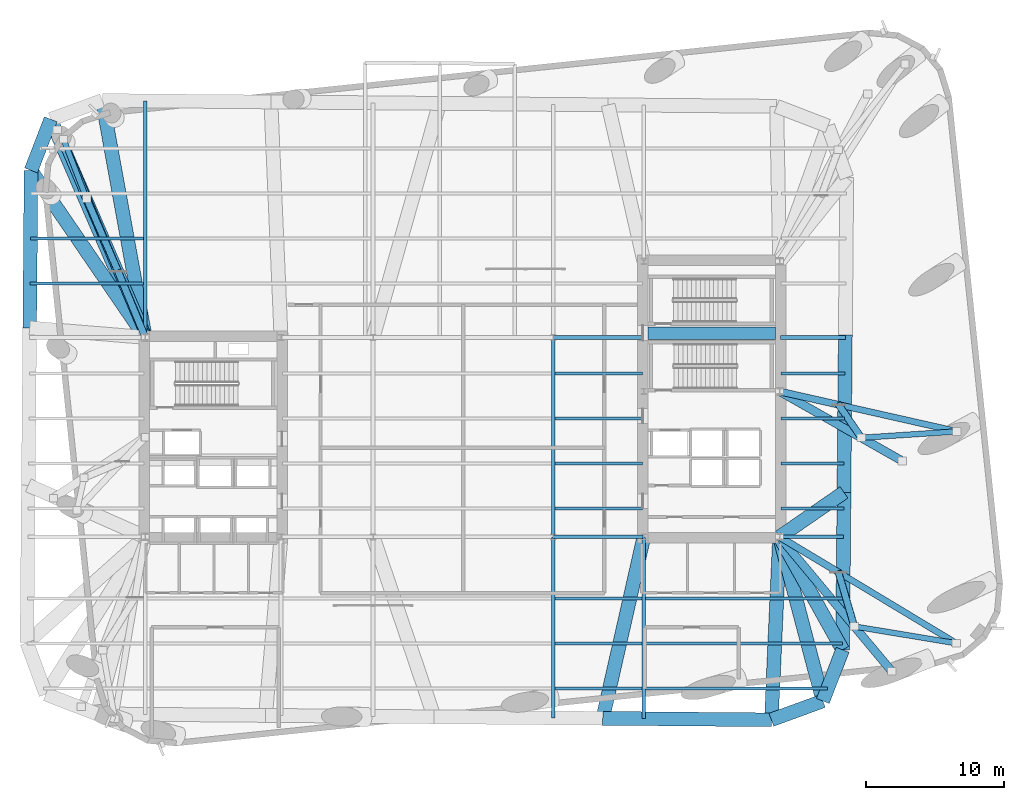
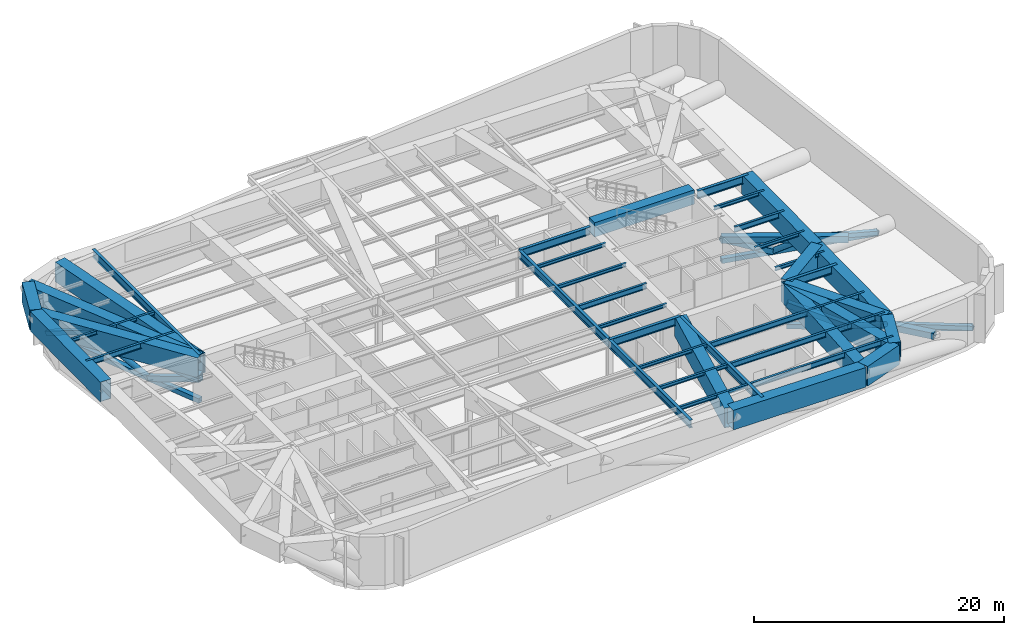
# One storey, part 3 of 15: 40 beams, 15 members.
"""IFC4 building model written with IfcOpenShell, lengths in metres."""

from ifc_helpers import new_model, si_unit, direction, frame, origin, origin_2d, place, context, subcontext, project, spatial, rectangle, hollow_rectangle, hollow_circle, i_section, extrude, material, material_profile, profile_set, type_object, element, save


model = new_model("IFC4")

# Units and contexts
model_context = context("Model", 3, precision=1e-05, world=origin(), true_north=direction((0.0, 1.0)))
body_context = subcontext(model_context, "Body", "Model", "MODEL_VIEW")
ifc_project = project(units=[si_unit("LENGTHUNIT", "METRE"), si_unit("AREAUNIT", "SQUARE_METRE"), si_unit("VOLUMEUNIT", "CUBIC_METRE"), si_unit("PLANEANGLEUNIT", "RADIAN"), si_unit("MASSUNIT", "GRAM", prefix="KILO")], contexts=[model_context])

# Site, building, storey
site_placement = place(None, origin())
site = spatial("IfcSite", under=ifc_project, at=site_placement, CompositionType="ELEMENT")
building_placement = place(site_placement, origin())
building = spatial("IfcBuilding", under=site, at=building_placement, Name="Kolvaren Arena Tower", CompositionType="ELEMENT")
storey_placement = place(building_placement, frame((0.0, 0.0, 153.25)))
storey = spatial("IfcBuildingStorey", under=building, at=storey_placement, Name="L36", CompositionType="ELEMENT", Elevation=153.25)

# Beams
ifc_material_1 = material(Name="Steel CSA G40.21 350W", Category="steel")
ifc_material_profile_1 = material_profile(ifc_material_1, i_section(OverallWidth=0.2119140625, OverallDepth=0.54296875, WebThickness=0.01318359375, FlangeThickness=0.0244140625, FilletRadius=0.013916015625, at=origin_2d()), Name="W530x150")
ifc_profile_set_1 = profile_set([ifc_material_profile_1], Name="Steel CSA G40.21 350W")
beam_type_1 = type_object("IfcBeamType", Name="BEAM-F1", PredefinedType="BEAM", material=ifc_profile_set_1)
beam_1_placement = place(storey_placement, frame((50.68505859375, 8.5, 4.478515625), z_axis=(1.0, 0.0, 0.0), x_axis=(0.0, 1.0, 0.0)))
element("IfcBeam", 1, at=beam_1_placement, inside=storey, type_object=beam_type_1, Name="Composite Floor Beam (L36)", PredefinedType="BEAM", context=body_context, shape_type="SweptSolid", body=[
    extrude(i_section(OverallWidth=0.2119140625, OverallDepth=0.54296875, WebThickness=0.01318359375, FlangeThickness=0.0244140625, FilletRadius=0.013916015625, at=origin_2d()), origin(), (0.0, 0.0, 1.0), 13.13916015625),
])
beam_2_placement = place(storey_placement, frame((50.68505859375, 11.75, 4.478515625), z_axis=(1.0, 0.0, 0.0), x_axis=(0.0, 1.0, 0.0)))
element("IfcBeam", 2, at=beam_2_placement, inside=storey, type_object=beam_type_1, Name="Composite Floor Beam (L36)", PredefinedType="BEAM", context=body_context, shape_type="SweptSolid", body=[
    extrude(i_section(OverallWidth=0.2119140625, OverallDepth=0.54296875, WebThickness=0.01318359375, FlangeThickness=0.0244140625, FilletRadius=0.013916015625, at=origin_2d()), origin(), (0.0, 0.0, 1.0), 14.218994140625),
])
beam_3_placement = place(storey_placement, frame((50.68505859375, 15.0, 4.478515625), z_axis=(1.0, 0.0, 0.0), x_axis=(0.0, 1.0, 0.0)))
element("IfcBeam", 3, at=beam_3_placement, inside=storey, type_object=beam_type_1, Name="Composite Floor Beam (L36)", PredefinedType="BEAM", context=body_context, shape_type="SweptSolid", body=[
    extrude(i_section(OverallWidth=0.2119140625, OverallDepth=0.54296875, WebThickness=0.01318359375, FlangeThickness=0.0244140625, FilletRadius=0.013916015625, at=origin_2d()), origin(), (0.0, 0.0, 1.0), 14.247314453125),
])
beam_4_placement = place(storey_placement, frame((44.135009765625, 24.75, 4.478515625), z_axis=(1.0, 0.0, 0.0), x_axis=(0.0, 1.0, 0.0)))
element("IfcBeam", 4, at=beam_4_placement, inside=storey, type_object=beam_type_1, Name="Composite Floor Beam (L36)", PredefinedType="BEAM", context=body_context, shape_type="SweptSolid", body=[
    extrude(i_section(OverallWidth=0.2119140625, OverallDepth=0.54296875, WebThickness=0.01318359375, FlangeThickness=0.0244140625, FilletRadius=0.013916015625, at=origin_2d()), origin(), (0.0, 0.0, 1.0), 6.320068359375),
])
beam_5_placement = place(storey_placement, frame((60.445068359375, 28.0, 4.478515625), z_axis=(1.0, 0.0, 0.0), x_axis=(0.0, 1.0, 0.0)))
element("IfcBeam", 5, at=beam_5_placement, inside=storey, type_object=beam_type_1, Name="Composite Floor Beam (L36)", PredefinedType="BEAM", context=body_context, shape_type="SweptSolid", body=[
    extrude(i_section(OverallWidth=0.2119140625, OverallDepth=0.54296875, WebThickness=0.01318359375, FlangeThickness=0.0244140625, FilletRadius=0.013916015625, at=origin_2d()), origin(), (0.0, 0.0, 1.0), 4.600830078125),
])
beam_6_placement = place(storey_placement, frame((6.228759765625, 37.75, 4.478515625), z_axis=(1.0, 0.0, 0.0), x_axis=(0.0, 1.0, 0.0)))
element("IfcBeam", 6, at=beam_6_placement, inside=storey, type_object=beam_type_1, Name="Composite Floor Beam (L36)", PredefinedType="BEAM", context=body_context, shape_type="SweptSolid", body=[
    extrude(i_section(OverallWidth=0.2119140625, OverallDepth=0.54296875, WebThickness=0.01318359375, FlangeThickness=0.0244140625, FilletRadius=0.013916015625, at=origin_2d()), origin(), (0.0, 0.0, 1.0), 8.186279296875),
])

# Members
ifc_material_2 = material(Name="Steel CSA G40.21 350WT", Category="steel")
ifc_material_profile_2 = material_profile(ifc_material_2, hollow_rectangle(XDim=0.449951171875, YDim=0.449951171875, WallThickness=0.02001953125, at=origin_2d()), Name="HSS 450x450x20")
ifc_profile_set_2 = profile_set([ifc_material_profile_2], Name="Steel CSA G40.21 350WT")
member_type_1 = type_object("IfcMemberType", Name="BELT-CHORD", PredefinedType="CHORD", material=ifc_profile_set_2)
member_1_placement = place(storey_placement, frame((14.550048828125, 33.85009765625, 0.35009765625), z_axis=(-0.3813058189, 0.924448956121, 0.0), x_axis=(-0.924448956121, -0.3813058189, 0.0)))
element("IfcMember", 7, at=member_1_placement, inside=storey, type_object=member_type_1, Name="Belt Truss Bottom Chord 2 (L36)", PredefinedType="CHORD", context=body_context, shape_type="SweptSolid", body=[
    extrude(hollow_rectangle(XDim=0.449951171875, YDim=0.449951171875, WallThickness=0.02001953125, at=origin_2d()), origin(), (0.0, 0.0, 1.0), 15.479248046875),
])
member_2_placement = place(storey_placement, frame((60.35009765625, 19.449951171875, 0.35009765625), z_axis=(0.856512082093, -0.516126973941, 0.0), x_axis=(0.516126973941, 0.856512082093, 0.0)))
element("IfcMember", 8, at=member_2_placement, inside=storey, type_object=member_type_1, Name="Belt Truss Bottom Chord 3 (L36)", PredefinedType="CHORD", context=body_context, shape_type="SweptSolid", body=[
    extrude(hollow_rectangle(XDim=0.449951171875, YDim=0.449951171875, WallThickness=0.02001953125, at=origin_2d()), origin(), (0.0, 0.0, 1.0), 14.892333984375),
])
member_3_placement = place(storey_placement, frame((60.35009765625, 29.949951171875, 0.35009765625), z_axis=(0.975446932902, -0.220234604663, 0.0), x_axis=(0.220234604663, 0.975446932902, 0.0)))
element("IfcMember", 9, at=member_3_placement, inside=storey, type_object=member_type_1, Name="Belt Truss Bottom Chord 6 (L36)", PredefinedType="CHORD", context=body_context, shape_type="SweptSolid", body=[
    extrude(hollow_rectangle(XDim=0.449951171875, YDim=0.449951171875, WallThickness=0.02001953125, at=origin_2d()), origin(), (0.0, 0.0, 1.0), 13.123046875),
])
ifc_material_profile_3 = material_profile(ifc_material_2, hollow_rectangle(XDim=0.39990234375, YDim=0.39990234375, WallThickness=0.01611328125, at=origin_2d()), Name="HSS 400x400x16")
ifc_profile_set_3 = profile_set([ifc_material_profile_3], Name="Steel CSA G40.21 350WT")
member_type_2 = type_object("IfcMemberType", Name="BELT-DIAG", PredefinedType="BRACE", material=ifc_profile_set_3)
member_4_placement = place(storey_placement, frame((10.31689453125, 43.855712890625, 2.47998046875), z_axis=(-0.328311479078, 0.846589348567, -0.418924871066), x_axis=(-0.93234566497, -0.361568196903, 0.0)))
element("IfcMember", 10, at=member_4_placement, inside=storey, type_object=member_type_2, Name="Belt Truss Warren Diagonal C 2 (L36)", PredefinedType="BRACE", context=body_context, shape_type="SweptSolid", body=[
    extrude(hollow_rectangle(XDim=0.39990234375, YDim=0.39990234375, WallThickness=0.01611328125, at=origin_2d()), origin(), (0.0, 0.0, 1.0), 5.084228515625),
])
member_5_placement = place(storey_placement, frame((65.74609375, 12.981201171875, 2.47998046875), z_axis=(0.948675761749, -0.15694818285, -0.274557037735), x_axis=(0.163220618114, 0.986589595436, 0.0)))
element("IfcMember", 11, at=member_5_placement, inside=storey, type_object=member_type_2, Name="Belt Truss Warren Diagonal C 3 (L36)", PredefinedType="BRACE", context=body_context, shape_type="SweptSolid", body=[
    extrude(hollow_rectangle(XDim=0.39990234375, YDim=0.39990234375, WallThickness=0.01611328125, at=origin_2d()), origin(), (0.0, 0.0, 1.0), 7.757568359375),
])
member_6_placement = place(storey_placement, frame((66.253173828125, 26.603271484375, 2.47998046875), z_axis=(0.953581040048, 0.063115299079, -0.294448058379), x_axis=(-0.066043158424, 0.99781676736, 0.0)))
element("IfcMember", 12, at=member_6_placement, inside=storey, type_object=member_type_2, Name="Belt Truss Warren Diagonal C 6 (L36)", PredefinedType="BRACE", context=body_context, shape_type="SweptSolid", body=[
    extrude(hollow_rectangle(XDim=0.39990234375, YDim=0.39990234375, WallThickness=0.01611328125, at=origin_2d()), origin(), (0.0, 0.0, 1.0), 7.2333984375),
])

# Beam
ifc_material_3 = material(Name="Concrete 75 MPa", Category="concrete")
ifc_material_profile_4 = material_profile(ifc_material_3, rectangle(XDim=0.89990234375, YDim=1.39990234375, at=origin_2d()), Name="RC-900x1400")
ifc_profile_set_4 = profile_set([ifc_material_profile_4], Name="Concrete 75 MPa")
beam_type_2 = type_object("IfcBeamType", Name="CB-CORE-1", PredefinedType="BEAM", material=ifc_profile_set_4)
beam_7_placement = place(storey_placement, frame((50.85009765625, 34.14990234375, 4.320068359375), z_axis=(1.0, 0.0, 0.0), x_axis=(0.0, 1.0, 0.0)))
element("IfcBeam", 13, at=beam_7_placement, inside=storey, type_object=beam_type_2, Name="East Core Coupling Beam (L36)", PredefinedType="BEAM", context=body_context, shape_type="SweptSolid", body=[
    extrude(rectangle(XDim=0.89990234375, YDim=1.39990234375, at=origin_2d()), origin(), (0.0, 0.0, 1.0), 9.199951171875),
])

# Members
ifc_material_profile_5 = material_profile(ifc_material_2, hollow_circle(Radius=0.25390625, WallThickness=0.02490234375, at=origin_2d()), Name="CHS 508x25")
ifc_profile_set_5 = profile_set([ifc_material_profile_5], Name="Steel CSA G40.21 350WT")
member_type_3 = type_object("IfcMemberType", Name="EXO-BRACE1", PredefinedType="BRACE", material=ifc_profile_set_5)
member_7_placement = place(storey_placement, frame((12.58251953125, 38.619873046875, 0.35009765625), z_axis=(-0.372047001403, 0.859797412941, 0.349756254336), x_axis=(-0.917762625939, -0.397129402626, 0.0)))
element("IfcMember", 14, at=member_7_placement, inside=storey, type_object=member_type_3, Name="Outrigger Warren Diagonal B 2 (L36)", PredefinedType="BRACE", context=body_context, shape_type="SweptSolid", body=[
    extrude(hollow_circle(Radius=0.25390625, WallThickness=0.02490234375, at=origin_2d()), origin(), (0.0, 0.0, 1.0), 6.089599609375),
])
member_8_placement = place(storey_placement, frame((64.601806640625, 16.887939453125, 0.35009765625), z_axis=(0.249061942345, -0.850328397995, 0.463583611055), x_axis=(0.959680997027, 0.281091415639, 0.0)))
element("IfcMember", 15, at=member_8_placement, inside=storey, type_object=member_type_3, Name="Outrigger Warren Diagonal B 3 (L36)", PredefinedType="BRACE", context=body_context, shape_type="SweptSolid", body=[
    extrude(hollow_circle(Radius=0.25390625, WallThickness=0.02490234375, at=origin_2d()), origin(), (0.0, 0.0, 1.0), 4.594482421875),
])
member_9_placement = place(storey_placement, frame((64.616943359375, 28.986572265625, 0.35009765625), z_axis=(0.455674217185, -0.66372600838, 0.593151577249), x_axis=(0.824411362267, 0.565991082761, 0.0)))
element("IfcMember", 16, at=member_9_placement, inside=storey, type_object=member_type_3, Name="Outrigger Warren Diagonal B 6 (L36)", PredefinedType="BRACE", context=body_context, shape_type="SweptSolid", body=[
    extrude(hollow_circle(Radius=0.25390625, WallThickness=0.02490234375, at=origin_2d()), origin(), (0.0, 0.0, 1.0), 3.5908203125),
])

# Beams
ifc_material_profile_6 = material_profile(ifc_material_1, i_section(OverallWidth=0.27001953125, OverallDepth=0.77294921875, WebThickness=0.019287109375, FlangeThickness=0.033447265625, FilletRadius=0.01806640625, at=origin_2d()), Name="W760x257")
ifc_profile_set_6 = profile_set([ifc_material_profile_6], Name="Steel CSA G40.21 350W")
beam_type_3 = type_object("IfcBeamType", Name="GIRD-T1", PredefinedType="BEAM", material=ifc_profile_set_6)
beam_8_placement = place(storey_placement, frame((44.0, 19.449951171875, 4.363525390625), z_axis=(1.0, 0.0, 0.0), x_axis=(0.0, 1.0, 0.0)))
element("IfcBeam", 17, at=beam_8_placement, inside=storey, type_object=beam_type_3, Name="Primary Floor Girder (L36)", PredefinedType="BEAM", context=body_context, shape_type="SweptSolid", body=[
    extrude(i_section(OverallWidth=0.27001953125, OverallDepth=0.77294921875, WebThickness=0.019287109375, FlangeThickness=0.033447265625, FilletRadius=0.01806640625, at=origin_2d()), origin(), (0.0, 0.0, 1.0), 6.4951171875),
])
beam_9_placement = place(storey_placement, frame((60.405029296875, 19.449951171875, 4.363525390625), z_axis=(1.0, 0.0, 0.0), x_axis=(0.0, 1.0, 0.0)))
element("IfcBeam", 18, at=beam_9_placement, inside=storey, type_object=beam_type_3, Name="Primary Floor Girder (L36)", PredefinedType="BEAM", context=body_context, shape_type="SweptSolid", body=[
    extrude(i_section(OverallWidth=0.27001953125, OverallDepth=0.77294921875, WebThickness=0.019287109375, FlangeThickness=0.033447265625, FilletRadius=0.01806640625, at=origin_2d()), origin(), (0.0, 0.0, 1.0), 4.566162109375),
])
beam_10_placement = place(storey_placement, frame((44.0, 33.85009765625, 4.363525390625), z_axis=(1.0, 0.0, 0.0), x_axis=(0.0, 1.0, 0.0)))
element("IfcBeam", 19, at=beam_10_placement, inside=storey, type_object=beam_type_3, Name="Primary Floor Girder (L36)", PredefinedType="BEAM", context=body_context, shape_type="SweptSolid", body=[
    extrude(i_section(OverallWidth=0.27001953125, OverallDepth=0.77294921875, WebThickness=0.019287109375, FlangeThickness=0.033447265625, FilletRadius=0.01806640625, at=origin_2d()), origin(), (0.0, 0.0, 1.0), 6.4951171875),
])
beam_11_placement = place(storey_placement, frame((60.405029296875, 33.85009765625, 4.363525390625), z_axis=(1.0, 0.0, 0.0), x_axis=(0.0, 1.0, 0.0)))
element("IfcBeam", 20, at=beam_11_placement, inside=storey, type_object=beam_type_3, Name="Primary Floor Girder (L36)", PredefinedType="BEAM", context=body_context, shape_type="SweptSolid", body=[
    extrude(i_section(OverallWidth=0.27001953125, OverallDepth=0.77294921875, WebThickness=0.019287109375, FlangeThickness=0.033447265625, FilletRadius=0.01806640625, at=origin_2d()), origin(), (0.0, 0.0, 1.0), 4.69189453125),
])
beam_12_placement = place(storey_placement, frame((14.550048828125, 33.905029296875, 4.363525390625), z_axis=(0.0, 1.0, 0.0), x_axis=(-1.0, 0.0, 0.0)))
element("IfcBeam", 21, at=beam_12_placement, inside=storey, type_object=beam_type_3, Name="Primary Floor Girder (L36)", PredefinedType="BEAM", context=body_context, shape_type="SweptSolid", body=[
    extrude(i_section(OverallWidth=0.27001953125, OverallDepth=0.77294921875, WebThickness=0.019287109375, FlangeThickness=0.033447265625, FilletRadius=0.01806640625, at=origin_2d()), origin(), (0.0, 0.0, 1.0), 17.029541015625),
])
beam_13_placement = place(storey_placement, frame((44.0, 6.375732421875, 4.363525390625), z_axis=(0.0, 1.0, 0.0), x_axis=(-1.0, 0.0, 0.0)))
element("IfcBeam", 22, at=beam_13_placement, inside=storey, type_object=beam_type_3, Name="Primary Floor Girder (L36)", PredefinedType="BEAM", context=body_context, shape_type="SweptSolid", body=[
    extrude(i_section(OverallWidth=0.27001953125, OverallDepth=0.77294921875, WebThickness=0.019287109375, FlangeThickness=0.033447265625, FilletRadius=0.01806640625, at=origin_2d()), origin(), (0.0, 0.0, 1.0), 13.07421875),
])
beam_14_placement = place(storey_placement, frame((44.0, 19.449951171875, 4.363525390625), z_axis=(0.0, 1.0, 0.0), x_axis=(-1.0, 0.0, 0.0)))
element("IfcBeam", 23, at=beam_14_placement, inside=storey, type_object=beam_type_3, Name="Primary Floor Girder (L36)", PredefinedType="BEAM", context=body_context, shape_type="SweptSolid", body=[
    extrude(i_section(OverallWidth=0.27001953125, OverallDepth=0.77294921875, WebThickness=0.019287109375, FlangeThickness=0.033447265625, FilletRadius=0.01806640625, at=origin_2d()), origin(), (0.0, 0.0, 1.0), 14.400146484375),
])
beam_15_placement = place(storey_placement, frame((50.550048828125, 6.318603515625, 4.363525390625), z_axis=(0.0, 1.0, 0.0), x_axis=(-1.0, 0.0, 0.0)))
element("IfcBeam", 24, at=beam_15_placement, inside=storey, type_object=beam_type_3, Name="Primary Floor Girder (L36)", PredefinedType="BEAM", context=body_context, shape_type="SweptSolid", body=[
    extrude(i_section(OverallWidth=0.27001953125, OverallDepth=0.77294921875, WebThickness=0.019287109375, FlangeThickness=0.033447265625, FilletRadius=0.01806640625, at=origin_2d()), origin(), (0.0, 0.0, 1.0), 13.076416015625),
])
ifc_material_profile_7 = material_profile(ifc_material_1, i_section(OverallWidth=0.202880859375, OverallDepth=0.346923828125, WebThickness=0.0078125, FlangeThickness=0.013427734375, FilletRadius=0.010986328125, at=origin_2d()), Name="W360x64")
ifc_profile_set_7 = profile_set([ifc_material_profile_7], Name="Steel CSA G40.21 350W")
beam_type_4 = type_object("IfcBeamType", Name="JOIST-01", PredefinedType="JOIST", material=ifc_profile_set_7)
for number, where, z_axis, x_axis, name in (
    (25, (44.135009765625, 8.5, 4.576416015625), (1.0, 0.0, 0.0), (0.0, 1.0, 0.0), "Composite Floor Joist (L36)"),
    (26, (44.135009765625, 11.75, 4.576416015625), (1.0, 0.0, 0.0), (0.0, 1.0, 0.0), "Composite Floor Joist (L36)"),
    (27, (44.135009765625, 15.0, 4.576416015625), (1.0, 0.0, 0.0), (0.0, 1.0, 0.0), "Composite Floor Joist (L36)"),
):
    element("IfcBeam", number, at=place(storey_placement, frame(where, z_axis=z_axis, x_axis=x_axis)), inside=storey, type_object=beam_type_4, Name=name, PredefinedType="JOIST", context=body_context, shape_type="SweptSolid", body=[
        extrude(i_section(OverallWidth=0.202880859375, OverallDepth=0.346923828125, WebThickness=0.0078125, FlangeThickness=0.013427734375, FilletRadius=0.010986328125, at=origin_2d()), origin(), (0.0, 0.0, 1.0), 6.280029296875),
    ])
beam_16_placement = place(storey_placement, frame((44.135009765625, 21.5, 4.576416015625), z_axis=(1.0, 0.0, 0.0), x_axis=(0.0, 1.0, 0.0)))
element("IfcBeam", 28, at=beam_16_placement, inside=storey, type_object=beam_type_4, Name="Composite Floor Joist (L36)", PredefinedType="JOIST", context=body_context, shape_type="SweptSolid", body=[
    extrude(i_section(OverallWidth=0.202880859375, OverallDepth=0.346923828125, WebThickness=0.0078125, FlangeThickness=0.013427734375, FilletRadius=0.010986328125, at=origin_2d()), origin(), (0.0, 0.0, 1.0), 6.320068359375),
])
beam_17_placement = place(storey_placement, frame((60.445068359375, 21.5, 4.576416015625), z_axis=(1.0, 0.0, 0.0), x_axis=(0.0, 1.0, 0.0)))
element("IfcBeam", 29, at=beam_17_placement, inside=storey, type_object=beam_type_4, Name="Composite Floor Joist (L36)", PredefinedType="JOIST", context=body_context, shape_type="SweptSolid", body=[
    extrude(i_section(OverallWidth=0.202880859375, OverallDepth=0.346923828125, WebThickness=0.0078125, FlangeThickness=0.013427734375, FilletRadius=0.010986328125, at=origin_2d()), origin(), (0.0, 0.0, 1.0), 4.544189453125),
])
beam_18_placement = place(storey_placement, frame((60.445068359375, 24.75, 4.576416015625), z_axis=(1.0, 0.0, 0.0), x_axis=(0.0, 1.0, 0.0)))
element("IfcBeam", 30, at=beam_18_placement, inside=storey, type_object=beam_type_4, Name="Composite Floor Joist (L36)", PredefinedType="JOIST", context=body_context, shape_type="SweptSolid", body=[
    extrude(i_section(OverallWidth=0.202880859375, OverallDepth=0.346923828125, WebThickness=0.0078125, FlangeThickness=0.013427734375, FilletRadius=0.010986328125, at=origin_2d()), origin(), (0.0, 0.0, 1.0), 4.572509765625),
])
for number, where, z_axis, x_axis, name in (
    (31, (44.135009765625, 28.0, 4.576416015625), (1.0, 0.0, 0.0), (0.0, 1.0, 0.0), "Composite Floor Joist (L36)"),
    (32, (44.135009765625, 31.25, 4.576416015625), (1.0, 0.0, 0.0), (0.0, 1.0, 0.0), "Composite Floor Joist (L36)"),
):
    element("IfcBeam", number, at=place(storey_placement, frame(where, z_axis=z_axis, x_axis=x_axis)), inside=storey, type_object=beam_type_4, Name=name, PredefinedType="JOIST", context=body_context, shape_type="SweptSolid", body=[
        extrude(i_section(OverallWidth=0.202880859375, OverallDepth=0.346923828125, WebThickness=0.0078125, FlangeThickness=0.013427734375, FilletRadius=0.010986328125, at=origin_2d()), origin(), (0.0, 0.0, 1.0), 6.320068359375),
    ])
beam_19_placement = place(storey_placement, frame((60.445068359375, 31.25, 4.576416015625), z_axis=(1.0, 0.0, 0.0), x_axis=(0.0, 1.0, 0.0)))
element("IfcBeam", 33, at=beam_19_placement, inside=storey, type_object=beam_type_4, Name="Composite Floor Joist (L36)", PredefinedType="JOIST", context=body_context, shape_type="SweptSolid", body=[
    extrude(i_section(OverallWidth=0.202880859375, OverallDepth=0.346923828125, WebThickness=0.0078125, FlangeThickness=0.013427734375, FilletRadius=0.010986328125, at=origin_2d()), origin(), (0.0, 0.0, 1.0), 4.629150390625),
])
beam_20_placement = place(storey_placement, frame((6.257080078125, 41.0, 4.576416015625), z_axis=(1.0, 0.0, 0.0), x_axis=(0.0, 1.0, 0.0)))
element("IfcBeam", 34, at=beam_20_placement, inside=storey, type_object=beam_type_4, Name="Composite Floor Joist (L36)", PredefinedType="JOIST", context=body_context, shape_type="SweptSolid", body=[
    extrude(i_section(OverallWidth=0.202880859375, OverallDepth=0.346923828125, WebThickness=0.0078125, FlangeThickness=0.013427734375, FilletRadius=0.010986328125, at=origin_2d()), origin(), (0.0, 0.0, 1.0), 8.157958984375),
])

# Members
ifc_material_profile_8 = material_profile(ifc_material_2, hollow_rectangle(XDim=0.60009765625, YDim=0.60009765625, WallThickness=0.02490234375, at=origin_2d()), Name="HSS 600x600x25")
ifc_profile_set_8 = profile_set([ifc_material_profile_8], Name="Steel CSA G40.21 350WT")
member_type_4 = type_object("IfcMemberType", Name="OUT-CHORD", PredefinedType="CHORD", material=ifc_profile_set_8)
member_10_placement = place(storey_placement, frame((14.550048828125, 33.85009765625, 2.47998046875), z_axis=(-0.389637058459, 0.920968491684, 0.0), x_axis=(-0.920968491684, -0.389637058459, 0.0)))
element("IfcMember", 35, at=member_10_placement, inside=storey, type_object=member_type_4, Name="Outrigger Top Chord 2 (L36)", PredefinedType="CHORD", context=body_context, shape_type="SweptSolid", body=[
    extrude(hollow_rectangle(XDim=0.60009765625, YDim=0.60009765625, WallThickness=0.02490234375, at=origin_2d()), origin(), (0.0, 0.0, 1.0), 16.296142578125),
])
member_11_placement = place(storey_placement, frame((60.35009765625, 19.449951171875, 2.47998046875), z_axis=(0.640551110104, -0.7679155392, 0.0), x_axis=(0.7679155392, 0.640551110104, 0.0)))
element("IfcMember", 36, at=member_11_placement, inside=storey, type_object=member_type_4, Name="Outrigger Top Chord 3 (L36)", PredefinedType="CHORD", context=body_context, shape_type="SweptSolid", body=[
    extrude(hollow_rectangle(XDim=0.60009765625, YDim=0.60009765625, WallThickness=0.02490234375, at=origin_2d()), origin(), (0.0, 0.0, 1.0), 12.635986328125),
])
member_12_placement = place(storey_placement, frame((60.35009765625, 29.949951171875, 2.47998046875), z_axis=(0.869917911774, -0.493196539702, 0.0), x_axis=(0.493196539702, 0.869917911774, 0.0)))
element("IfcMember", 37, at=member_12_placement, inside=storey, type_object=member_type_4, Name="Outrigger Top Chord 6 (L36)", PredefinedType="CHORD", context=body_context, shape_type="SweptSolid", body=[
    extrude(hollow_rectangle(XDim=0.60009765625, YDim=0.60009765625, WallThickness=0.02490234375, at=origin_2d()), origin(), (0.0, 0.0, 1.0), 10.178466796875),
])
ifc_material_profile_9 = material_profile(ifc_material_2, hollow_rectangle(XDim=0.5, YDim=0.5, WallThickness=0.02197265625, at=origin_2d()), Name="HSS 500x500x22")
ifc_profile_set_9 = profile_set([ifc_material_profile_9], Name="Steel CSA G40.21 350WT")
member_type_5 = type_object("IfcMemberType", Name="OUT-DIAG", PredefinedType="BRACE", material=ifc_profile_set_9)
member_13_placement = place(storey_placement, frame((14.550048828125, 33.85009765625, 2.47998046875), z_axis=(-0.352479711406, 0.854497595452, -0.381565082803), x_axis=(-0.9244388096, -0.381330417493, 0.0)))
element("IfcMember", 38, at=member_13_placement, inside=storey, type_object=member_type_5, Name="Outrigger Warren Diagonal A 2 (L36)", PredefinedType="BRACE", context=body_context, shape_type="SweptSolid", body=[
    extrude(hollow_rectangle(XDim=0.5, YDim=0.5, WallThickness=0.02197265625, at=origin_2d()), origin(), (0.0, 0.0, 1.0), 5.58203125),
])
member_14_placement = place(storey_placement, frame((60.35009765625, 19.449951171875, 2.47998046875), z_axis=(0.787119599194, -0.47430566029, -0.394305563214), x_axis=(0.516122194303, 0.856514962244, 0.0)))
element("IfcMember", 39, at=member_14_placement, inside=storey, type_object=member_type_5, Name="Outrigger Warren Diagonal A 3 (L36)", PredefinedType="BRACE", context=body_context, shape_type="SweptSolid", body=[
    extrude(hollow_rectangle(XDim=0.5, YDim=0.5, WallThickness=0.02197265625, at=origin_2d()), origin(), (0.0, 0.0, 1.0), 5.401611328125),
])
member_15_placement = place(storey_placement, frame((60.35009765625, 29.949951171875, 2.47998046875), z_axis=(0.877007847676, -0.198012986607, -0.437776303892), x_axis=(0.220238601387, 0.975446030521, 0.0)))
element("IfcMember", 40, at=member_15_placement, inside=storey, type_object=member_type_5, Name="Outrigger Warren Diagonal A 6 (L36)", PredefinedType="BRACE", context=body_context, shape_type="SweptSolid", body=[
    extrude(hollow_rectangle(XDim=0.5, YDim=0.5, WallThickness=0.02197265625, at=origin_2d()), origin(), (0.0, 0.0, 1.0), 4.865234375),
])

# Beams
ifc_material_profile_10 = material_profile(ifc_material_2, hollow_rectangle(XDim=1.0, YDim=1.919921875, WallThickness=0.044921875, at=origin_2d()), Name="BOX 1000x1920x45")
ifc_profile_set_10 = profile_set([ifc_material_profile_10], Name="Steel CSA G40.21 350WT")
beam_type_5 = type_object("IfcBeamType", Name="TG-MEGA", PredefinedType="USERDEFINED", material=ifc_profile_set_10)
beam_21_placement = place(storey_placement, frame((47.581298828125, 6.344482421875, 3.7900390625), z_axis=(0.99996195503, -0.008722871848, 0.0), x_axis=(0.008722871848, 0.99996195503, 0.0)))
element("IfcBeam", 41, at=beam_21_placement, inside=storey, type_object=beam_type_5, Name="Perimeter Transfer Ring Girder 04 (L36)", ObjectType="TRANSFER GIRDER", PredefinedType="USERDEFINED", context=body_context, shape_type="SweptSolid", body=[
    extrude(hollow_rectangle(XDim=1.0, YDim=1.919921875, WallThickness=0.044921875, at=origin_2d()), origin(), (0.0, 0.0, 1.0), 12.175048828125),
])
beam_22_placement = place(storey_placement, frame((47.581298828125, 6.344482421875, 3.7900390625), z_axis=(0.220929999187, 0.975289667463, 0.0), x_axis=(-0.975289667463, 0.220929999187, 0.0)))
element("IfcBeam", 42, at=beam_22_placement, inside=storey, type_object=beam_type_5, Name="Cantilever Block Transfer Girder 04 (L36)", ObjectType="TRANSFER GIRDER", PredefinedType="USERDEFINED", context=body_context, shape_type="SweptSolid", body=[
    extrude(hollow_rectangle(XDim=1.0, YDim=1.919921875, WallThickness=0.044921875, at=origin_2d()), origin(), (0.0, 0.0, 1.0), 13.4375),
])
beam_23_placement = place(storey_placement, frame((59.755859375, 6.23828125, 3.7900390625), z_axis=(0.939313819882, 0.343059102458, 0.0), x_axis=(-0.343059102458, 0.939313819882, 0.0)))
element("IfcBeam", 43, at=beam_23_placement, inside=storey, type_object=beam_type_5, Name="Perimeter Transfer Ring Girder 05 (L36)", ObjectType="TRANSFER GIRDER", PredefinedType="USERDEFINED", context=body_context, shape_type="SweptSolid", body=[
    extrude(hollow_rectangle(XDim=1.0, YDim=1.919921875, WallThickness=0.044921875, at=origin_2d()), origin(), (0.0, 0.0, 1.0), 3.961181640625),
])
beam_24_placement = place(storey_placement, frame((59.755859375, 6.23828125, 3.7900390625), z_axis=(0.044932859318, 0.998990009036, 0.0), x_axis=(-0.998990009036, 0.044932859318, 0.0)))
element("IfcBeam", 44, at=beam_24_placement, inside=storey, type_object=beam_type_5, Name="Cantilever Block Transfer Girder 05 (L36)", ObjectType="TRANSFER GIRDER", PredefinedType="USERDEFINED", context=body_context, shape_type="SweptSolid", body=[
    extrude(hollow_rectangle(XDim=1.0, YDim=1.919921875, WallThickness=0.044921875, at=origin_2d()), origin(), (0.0, 0.0, 1.0), 13.22509765625),
])
beam_25_placement = place(storey_placement, frame((63.4765625, 7.59716796875, 3.7900390625), z_axis=(0.359383792094, 0.933189846698, 0.0), x_axis=(-0.933189846698, 0.359383792094, 0.0)))
element("IfcBeam", 45, at=beam_25_placement, inside=storey, type_object=beam_type_5, Name="Perimeter Transfer Ring Girder 06 (L36)", ObjectType="TRANSFER GIRDER", PredefinedType="USERDEFINED", context=body_context, shape_type="SweptSolid", body=[
    extrude(hollow_rectangle(XDim=1.0, YDim=1.919921875, WallThickness=0.044921875, at=origin_2d()), origin(), (0.0, 0.0, 1.0), 3.961181640625),
])
beam_26_placement = place(storey_placement, frame((63.4765625, 7.59716796875, 3.7900390625), z_axis=(-0.255051074556, 0.966927582277, 0.0), x_axis=(-0.966927582277, -0.255051074556, 0.0)))
element("IfcBeam", 46, at=beam_26_placement, inside=storey, type_object=beam_type_5, Name="Cantilever Block Transfer Girder 06 (L36)", ObjectType="TRANSFER GIRDER", PredefinedType="USERDEFINED", context=body_context, shape_type="SweptSolid", body=[
    extrude(hollow_rectangle(XDim=1.0, YDim=1.919921875, WallThickness=0.044921875, at=origin_2d()), origin(), (0.0, 0.0, 1.0), 12.25830078125),
])
beam_27_placement = place(storey_placement, frame((64.900146484375, 11.293701171875, 3.7900390625), z_axis=(0.008720348885, 0.999961977035, 0.0), x_axis=(-0.999961977035, 0.008720348885, 0.0)))
element("IfcBeam", 47, at=beam_27_placement, inside=storey, type_object=beam_type_5, Name="Perimeter Transfer Ring Girder 07 (L36)", ObjectType="TRANSFER GIRDER", PredefinedType="USERDEFINED", context=body_context, shape_type="SweptSolid", body=[
    extrude(hollow_rectangle(XDim=1.0, YDim=1.919921875, WallThickness=0.044921875, at=origin_2d()), origin(), (0.0, 0.0, 1.0), 11.36669921875),
])
beam_28_placement = place(storey_placement, frame((64.900146484375, 11.293701171875, 3.7900390625), z_axis=(-0.487180275878, 0.873301424936, 0.0), x_axis=(-0.873301424936, -0.487180275878, 0.0)))
element("IfcBeam", 48, at=beam_28_placement, inside=storey, type_object=beam_type_5, Name="Cantilever Block Transfer Girder 07 (L36)", ObjectType="TRANSFER GIRDER", PredefinedType="USERDEFINED", context=body_context, shape_type="SweptSolid", body=[
    extrude(hollow_rectangle(XDim=1.0, YDim=1.919921875, WallThickness=0.044921875, at=origin_2d()), origin(), (0.0, 0.0, 1.0), 9.339599609375),
])
beam_29_placement = place(storey_placement, frame((64.999267578125, 22.659912109375, 3.7900390625), z_axis=(0.008720348885, 0.999961977035, 0.0), x_axis=(-0.999961977035, 0.008720348885, 0.0)))
element("IfcBeam", 49, at=beam_29_placement, inside=storey, type_object=beam_type_5, Name="Perimeter Transfer Ring Girder 08 (L36)", ObjectType="TRANSFER GIRDER", PredefinedType="USERDEFINED", context=body_context, shape_type="SweptSolid", body=[
    extrude(hollow_rectangle(XDim=1.0, YDim=1.919921875, WallThickness=0.044921875, at=origin_2d()), origin(), (0.0, 0.0, 1.0), 11.36669921875),
])
beam_30_placement = place(storey_placement, frame((64.999267578125, 22.659912109375, 3.7900390625), z_axis=(-0.822911813486, -0.568169118507, 0.0), x_axis=(0.568169118507, -0.822911813486, 0.0)))
element("IfcBeam", 50, at=beam_30_placement, inside=storey, type_object=beam_type_5, Name="Cantilever Block Transfer Girder 08 (L36)", ObjectType="TRANSFER GIRDER", PredefinedType="USERDEFINED", context=body_context, shape_type="SweptSolid", body=[
    extrude(hollow_rectangle(XDim=1.0, YDim=1.919921875, WallThickness=0.044921875, at=origin_2d()), origin(), (0.0, 0.0, 1.0), 5.649658203125),
])
beam_31_placement = place(storey_placement, frame((11.444091796875, 50.961669921875, 3.7900390625), z_axis=(0.178593885164, -0.983922875119, 0.0), x_axis=(0.983922875119, 0.178593885164, 0.0)))
element("IfcBeam", 51, at=beam_31_placement, inside=storey, type_object=beam_type_5, Name="Cantilever Block Transfer Girder 16 (L36)", ObjectType="TRANSFER GIRDER", PredefinedType="USERDEFINED", context=body_context, shape_type="SweptSolid", body=[
    extrude(hollow_rectangle(XDim=1.0, YDim=1.919921875, WallThickness=0.044921875, at=origin_2d()), origin(), (0.0, 0.0, 1.0), 17.39111328125),
])
beam_32_placement = place(storey_placement, frame((7.723388671875, 49.602783203125, 3.7900390625), z_axis=(-0.359383792094, -0.933189846698, 0.0), x_axis=(0.933189846698, -0.359383792094, 0.0)))
element("IfcBeam", 52, at=beam_32_placement, inside=storey, type_object=beam_type_5, Name="Perimeter Transfer Ring Girder 17 (L36)", ObjectType="TRANSFER GIRDER", PredefinedType="USERDEFINED", context=body_context, shape_type="SweptSolid", body=[
    extrude(hollow_rectangle(XDim=1.0, YDim=1.919921875, WallThickness=0.044921875, at=origin_2d()), origin(), (0.0, 0.0, 1.0), 3.961181640625),
])
beam_33_placement = place(storey_placement, frame((7.723388671875, 49.602783203125, 3.7900390625), z_axis=(0.397631781175, -0.917545076059, 0.0), x_axis=(0.917545076059, 0.397631781175, 0.0)))
element("IfcBeam", 53, at=beam_33_placement, inside=storey, type_object=beam_type_5, Name="Cantilever Block Transfer Girder 17 (L36)", ObjectType="TRANSFER GIRDER", PredefinedType="USERDEFINED", context=body_context, shape_type="SweptSolid", body=[
    extrude(hollow_rectangle(XDim=1.0, YDim=1.919921875, WallThickness=0.044921875, at=origin_2d()), origin(), (0.0, 0.0, 1.0), 17.168212890625),
])
beam_34_placement = place(storey_placement, frame((6.2998046875, 45.90625, 3.7900390625), z_axis=(-0.008720348885, -0.999961977035, 0.0), x_axis=(0.999961977035, -0.008720348885, 0.0)))
element("IfcBeam", 54, at=beam_34_placement, inside=storey, type_object=beam_type_5, Name="Perimeter Transfer Ring Girder 18 (L36)", ObjectType="TRANSFER GIRDER", PredefinedType="USERDEFINED", context=body_context, shape_type="SweptSolid", body=[
    extrude(hollow_rectangle(XDim=1.0, YDim=1.919921875, WallThickness=0.044921875, at=origin_2d()), origin(), (0.0, 0.0, 1.0), 11.36669921875),
])
beam_35_placement = place(storey_placement, frame((6.2998046875, 45.90625, 3.7900390625), z_axis=(0.564744423678, -0.825265857724, 0.0), x_axis=(0.825265857724, 0.564744423678, 0.0)))
element("IfcBeam", 55, at=beam_35_placement, inside=storey, type_object=beam_type_5, Name="Cantilever Block Transfer Girder 18 (L36)", ObjectType="TRANSFER GIRDER", PredefinedType="USERDEFINED", context=body_context, shape_type="SweptSolid", body=[
    extrude(hollow_rectangle(XDim=1.0, YDim=1.919921875, WallThickness=0.044921875, at=origin_2d()), origin(), (0.0, 0.0, 1.0), 14.60888671875),
])

save(model, "model.ifc")
